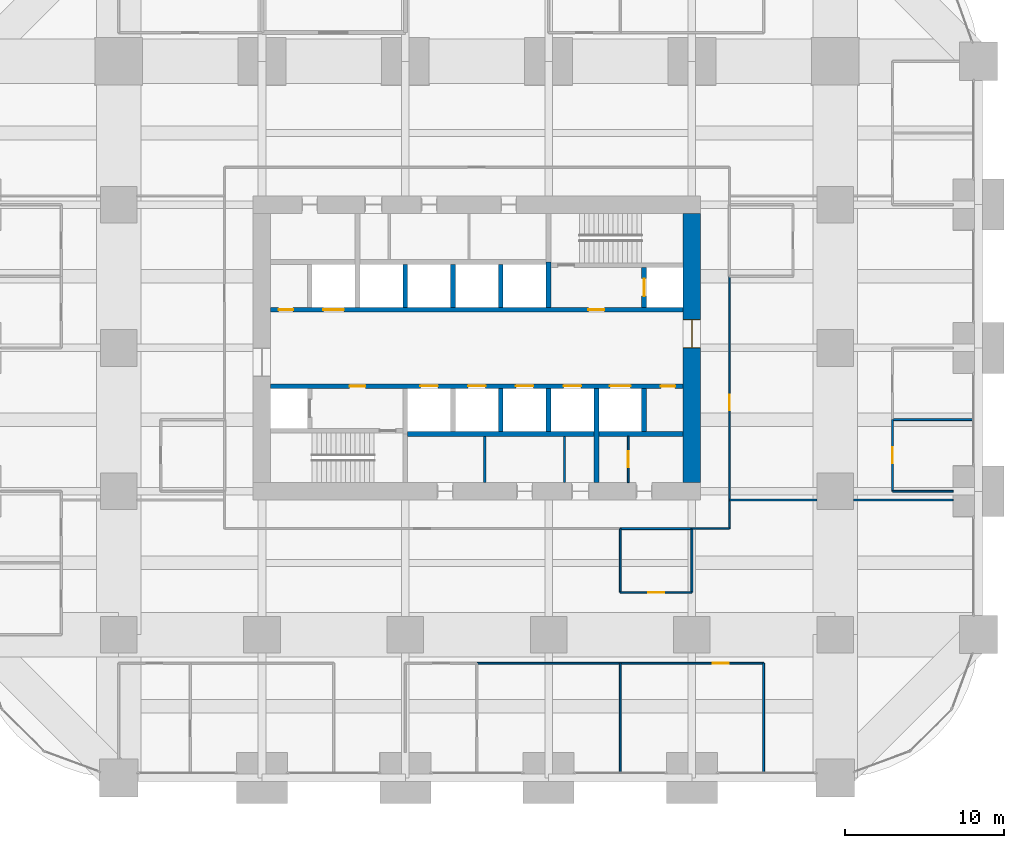
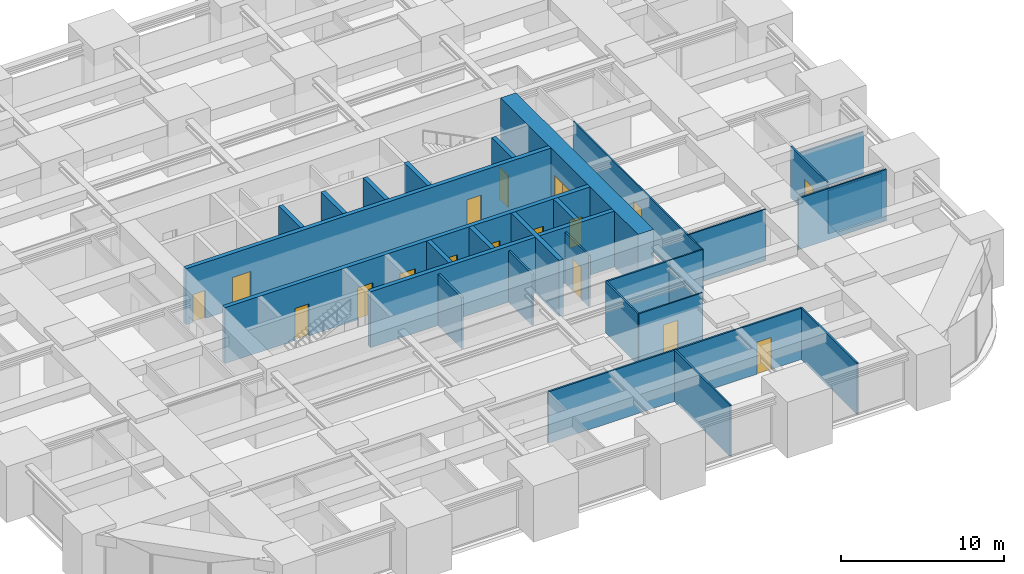
# One storey, part 39 of 42: 31 walls, 17 doors, 17 openings.
"""IFC4 building model written with IfcOpenShell, lengths in metres."""

from ifc_helpers import new_model, si_unit, direction, frame, frame_2d, origin, place, context, subcontext, project, spatial, rectangle, extrude, material, layer, layer_set, type_object, element, fill, save


model = new_model("IFC4")

# Units and contexts
model_context = context("Model", 3, precision=1e-05, world=origin(), true_north=direction((0.0, 1.0)))
body_context = subcontext(model_context, "Body", "Model", "MODEL_VIEW")
ifc_project = project(units=[si_unit("LENGTHUNIT", "METRE"), si_unit("AREAUNIT", "SQUARE_METRE"), si_unit("VOLUMEUNIT", "CUBIC_METRE"), si_unit("PLANEANGLEUNIT", "RADIAN"), si_unit("MASSUNIT", "GRAM", prefix="KILO")], contexts=[model_context])

# Site, building, storey
site_placement = place(None, origin())
site = spatial("IfcSite", under=ifc_project, at=site_placement, CompositionType="ELEMENT")
building_placement = place(site_placement, origin())
building = spatial("IfcBuilding", under=site, at=building_placement, Name="Zorevar Civic Tower", CompositionType="ELEMENT")
storey_placement = place(building_placement, frame((0.0, 0.0, 75.800048828125)))
storey = spatial("IfcBuildingStorey", under=building, at=storey_placement, Name="L18", CompositionType="ELEMENT", Elevation=75.800048828125)

# Wall, opening, door
ifc_material_1 = material(Name="Concrete C50/60", Category="concrete")
ifc_layer_1 = layer(ifc_material_1, 1.10009765625)
ifc_layer_set_1 = layer_set([ifc_layer_1], Name="Core wall 1100")
wall_type_1 = type_object("IfcWallType", Name="Core wall 1100", PredefinedType="SHEAR", material=ifc_layer_set_1)
wall_1_placement = place(storey_placement, frame((45.0, 18.550048828125, 0.0), z_axis=(0.0, 0.0, 1.0), x_axis=(0.0, 1.0, 0.0)))
wall_1 = element("IfcWall", 1, at=wall_1_placement, inside=storey, type_object=wall_type_1, Name="Core wall E L18", PredefinedType="SHEAR", context=body_context, shape_type="SweptSolid", body=[
    extrude(rectangle(XDim=16.89990234375, YDim=1.10009765625, at=frame_2d((8.449951171875, 0.0))), origin(), (0.0, 0.0, 1.0), 4.199951171875),
])
opening_1_placement = place(wall_1_placement, frame((8.449951171875, 0.0, 0.0)))
opening_1 = element("IfcOpeningElement", 2, at=opening_1_placement, cuts=wall_1, Name="Opening L18.02", PredefinedType="OPENING", context=body_context, shape_type="SweptSolid", body=[
    extrude(rectangle(XDim=1.800048828125, YDim=2.39990234375, at=frame_2d((0.89990234375, 1.199951171875))), frame((0.0, 0.56005859375, 0.0), z_axis=(0.0, -1.0, 0.0), x_axis=(1.0, 0.0, 0.0)), (0.0, 0.0, 1.0), 1.1201171875),
])
ifc_material_2 = material(Name="Steel door set", Category="steel")
door_type_1 = type_object("IfcDoorType", Name="Fire door FD2 1800x2400", OperationType="DOUBLE_DOOR_DOUBLE_SWING", PredefinedType="DOOR", material=ifc_material_2)
door_1_placement = place(opening_1_placement, origin())
door_1 = element("IfcDoor", 3, at=door_1_placement, inside=storey, type_object=door_type_1, Name="Door L18 01", OperationType="DOUBLE_DOOR_DOUBLE_SWING", OverallHeight=2.39990234375, OverallWidth=1.800048828125, PredefinedType="DOOR", context=body_context, shape_type="SweptSolid", body=[
    extrude(rectangle(XDim=1.800048828125, YDim=2.39990234375, at=frame_2d((0.89990234375, 1.199951171875))), frame((0.0, 0.030029296875, 0.0), z_axis=(0.0, -1.0, 0.0), x_axis=(1.0, 0.0, 0.0)), (0.0, 0.0, 1.0), 0.06005859375),
    extrude(rectangle(XDim=0.04, YDim=2.39990234375, at=frame_2d((0.02001953125, 1.199951171875))), frame((0.0, 0.5498046875, 0.0), z_axis=(0.0, -1.0, 0.0), x_axis=(1.0, 0.0, 0.0)), (0.0, 0.0, 1.0), 1.099609375),
    extrude(rectangle(XDim=0.04, YDim=2.39990234375, at=frame_2d((1.780029296875, 1.199951171875))), frame((0.0, 0.5498046875, 0.0), z_axis=(0.0, -1.0, 0.0), x_axis=(1.0, 0.0, 0.0)), (0.0, 0.0, 1.0), 1.099609375),
    extrude(rectangle(XDim=1.800048828125, YDim=0.04, at=frame_2d((0.89990234375, 2.3798828125))), frame((0.0, 0.5498046875, 0.0), z_axis=(0.0, -1.0, 0.0), x_axis=(1.0, 0.0, 0.0)), (0.0, 0.0, 1.0), 1.099609375),
])
fill(opening_1, door_1)

ifc_material_3 = material(Name="Laminated glass in black aluminium frame", Category="aluminium")
ifc_layer_2 = layer(ifc_material_3, 0.10009765625)
ifc_layer_set_2 = layer_set([ifc_layer_2], Name="Glazed partition 100")
wall_type_2 = type_object("IfcWallType", Name="Glazed partition 100", PredefinedType="PARTITIONING", material=ifc_layer_set_2)
wall_2_placement = place(storey_placement, frame((40.5, 11.64990234375, 0.0), z_axis=(0.0, 0.0, 1.0), x_axis=(1.0, 0.0, 0.0)))
wall_2 = element("IfcWall", 4, at=wall_2_placement, inside=storey, type_object=wall_type_2, Name="Glazed partition 100 L18", PredefinedType="PARTITIONING", context=body_context, shape_type="SweptSolid", body=[
    extrude(rectangle(XDim=4.5, YDim=0.10009765625, at=frame_2d((2.25, 0.0))), origin(), (0.0, 0.0, 1.0), 3.849853515625),
])
opening_2_placement = place(wall_2_placement, frame((1.75, 0.0, 0.0)))
opening_2 = element("IfcOpeningElement", 5, at=opening_2_placement, cuts=wall_2, Name="Opening L18.20", PredefinedType="OPENING", context=body_context, shape_type="SweptSolid", body=[
    extrude(rectangle(XDim=1.0, YDim=2.39990234375, at=frame_2d((0.5, 1.199951171875))), frame((0.0, 0.06005859375, 0.0), z_axis=(0.0, -1.0, 0.0), x_axis=(1.0, 0.0, 0.0)), (0.0, 0.0, 1.0), 0.1201171875),
])
ifc_material_4 = material(Name="Timber door set", Category="wood")
door_type_2 = type_object("IfcDoorType", Name="Glazed door GD1 1000x2400", OperationType="SINGLE_SWING_LEFT", PredefinedType="DOOR", material=ifc_material_4)
door_2_placement = place(opening_2_placement, origin())
door_2 = element("IfcDoor", 6, at=door_2_placement, inside=storey, type_object=door_type_2, Name="Door L18 D1", OperationType="SINGLE_SWING_RIGHT", OverallHeight=2.39990234375, OverallWidth=1.0, PredefinedType="DOOR", context=body_context, shape_type="SweptSolid", body=[
    extrude(rectangle(XDim=1.0, YDim=2.39990234375, at=frame_2d((0.5, 1.199951171875))), frame((0.0, 0.02001953125, 0.0), z_axis=(0.0, -1.0, 0.0), x_axis=(1.0, 0.0, 0.0)), (0.0, 0.0, 1.0), 0.0400390625),
])
fill(opening_2, door_2)

# Walls
wall_3_placement = place(storey_placement, frame((45.0, 15.64990234375, 0.0), z_axis=(0.0, 0.0, 1.0), x_axis=(1.0, 0.0, 0.0)))
element("IfcWall", 7, at=wall_3_placement, inside=storey, type_object=wall_type_2, Name="Glazed partition 100 L18", PredefinedType="PARTITIONING", context=body_context, shape_type="SweptSolid", body=[
    extrude(rectangle(XDim=2.35009765625, YDim=0.10009765625, at=frame_2d((1.175048828125, 0.0))), origin(), (0.0, 0.0, 1.0), 3.849853515625),
])
wall_4_placement = place(storey_placement, frame((47.35009765625, 17.449951171875, 0.0), z_axis=(0.0, 0.0, 1.0), x_axis=(1.0, 0.0, 0.0)))
element("IfcWall", 8, at=wall_4_placement, inside=storey, type_object=wall_type_2, Name="Glazed partition 100 L18", PredefinedType="PARTITIONING", context=body_context, shape_type="SweptSolid", body=[
    extrude(rectangle(XDim=5.5, YDim=0.10009765625, at=frame_2d((2.75, 0.0))), origin(), (0.0, 0.0, 1.0), 3.849853515625),
])
wall_5_placement = place(storey_placement, frame((55.14990234375, 17.449951171875, 0.0), z_axis=(0.0, 0.0, 1.0), x_axis=(1.0, 0.0, 0.0)))
element("IfcWall", 9, at=wall_5_placement, inside=storey, type_object=wall_type_2, Name="Glazed partition 100 L18", PredefinedType="PARTITIONING", context=body_context, shape_type="SweptSolid", body=[
    extrude(rectangle(XDim=6.25, YDim=0.10009765625, at=frame_2d((3.125, 0.0))), origin(), (0.0, 0.0, 1.0), 3.849853515625),
])

# Wall, opening, door
wall_6_placement = place(storey_placement, frame((47.35009765625, 15.64990234375, 0.0), z_axis=(0.0, 0.0, 1.0), x_axis=(0.0, 1.0, 0.0)))
wall_6 = element("IfcWall", 10, at=wall_6_placement, inside=storey, type_object=wall_type_2, Name="Glazed partition 100 L18", PredefinedType="PARTITIONING", context=body_context, shape_type="SweptSolid", body=[
    extrude(rectangle(XDim=15.85009765625, YDim=0.10009765625, at=frame_2d((7.925048828125, 0.0))), origin(), (0.0, 0.0, 1.0), 3.849853515625),
])
opening_3_placement = place(wall_6_placement, frame((7.425048828125, 0.0, 0.0)))
opening_3 = element("IfcOpeningElement", 11, at=opening_3_placement, cuts=wall_6, Name="Opening L18.35", PredefinedType="OPENING", context=body_context, shape_type="SweptSolid", body=[
    extrude(rectangle(XDim=1.0, YDim=2.39990234375, at=frame_2d((0.5, 1.199951171875))), frame((0.0, 0.06005859375, 0.0), z_axis=(0.0, -1.0, 0.0), x_axis=(1.0, 0.0, 0.0)), (0.0, 0.0, 1.0), 0.1201171875),
])
door_3_placement = place(opening_3_placement, origin())
door_3 = element("IfcDoor", 12, at=door_3_placement, inside=storey, type_object=door_type_2, Name="Door L18 D1", OperationType="SINGLE_SWING_LEFT", OverallHeight=2.39990234375, OverallWidth=1.0, PredefinedType="DOOR", context=body_context, shape_type="SweptSolid", body=[
    extrude(rectangle(XDim=1.0, YDim=2.39990234375, at=frame_2d((0.5, 1.199951171875))), frame((0.0, 0.02001953125, 0.0), z_axis=(0.0, -1.0, 0.0), x_axis=(1.0, 0.0, 0.0)), (0.0, 0.0, 1.0), 0.0400390625),
])
fill(opening_3, door_3)

ifc_material_5 = material(Name="Concrete C40/50", Category="concrete")
ifc_layer_3 = layer(ifc_material_5, 0.300048828125)
ifc_layer_set_3 = layer_set([ifc_layer_3], Name="Inner core wall 300")
wall_type_3 = type_object("IfcWallType", Name="Inner core wall 300", PredefinedType="SHEAR", material=ifc_layer_set_3)
wall_7_placement = place(storey_placement, frame((42.0, 29.550048828125, 0.0), z_axis=(0.0, 0.0, 1.0), x_axis=(0.0, 1.0, 0.0)))
wall_7 = element("IfcWall", 13, at=wall_7_placement, inside=storey, type_object=wall_type_3, Name="Inner core wall N02 L18", PredefinedType="SHEAR", context=body_context, shape_type="SweptSolid", body=[
    extrude(rectangle(XDim=2.5, YDim=0.300048828125, at=frame_2d((1.25, 0.0))), origin(), (0.0, 0.0, 1.0), 4.199951171875),
])
opening_4_placement = place(wall_7_placement, frame((0.699951171875, 0.0, 0.0)))
opening_4 = element("IfcOpeningElement", 14, at=opening_4_placement, cuts=wall_7, Name="Opening L18.FL2", PredefinedType="OPENING", context=body_context, shape_type="SweptSolid", body=[
    extrude(rectangle(XDim=1.10009765625, YDim=2.39990234375, at=frame_2d((0.550048828125, 1.199951171875))), frame((0.0, 0.159912109375, 0.0), z_axis=(0.0, -1.0, 0.0), x_axis=(1.0, 0.0, 0.0)), (0.0, 0.0, 1.0), 0.320068359375),
])
ifc_material_6 = material(Name="Steel door set", Category="steel")
door_type_3 = type_object("IfcDoorType", Name="Firefighting lift landing door LD3 1100x2400", OperationType="DOUBLE_DOOR_SLIDING", PredefinedType="DOOR", material=ifc_material_6)
door_4_placement = place(opening_4_placement, origin())
door_4 = element("IfcDoor", 15, at=door_4_placement, inside=storey, type_object=door_type_3, Name="Landing door FL2 L18", OperationType="DOUBLE_DOOR_SLIDING", OverallHeight=2.39990234375, OverallWidth=1.10009765625, PredefinedType="DOOR", context=body_context, shape_type="SweptSolid", body=[
    extrude(rectangle(XDim=1.10009765625, YDim=2.39990234375, at=frame_2d((0.550048828125, 1.199951171875))), frame((0.0, 0.030029296875, 0.0), z_axis=(0.0, -1.0, 0.0), x_axis=(1.0, 0.0, 0.0)), (0.0, 0.0, 1.0), 0.06005859375),
])
fill(opening_4, door_4)

# Wall, openings, doors
wall_8_placement = place(storey_placement, frame((18.550048828125, 24.60009765625, 0.0), z_axis=(0.0, 0.0, 1.0), x_axis=(1.0, 0.0, 0.0)))
wall_8 = element("IfcWall", 16, at=wall_8_placement, inside=storey, type_object=wall_type_3, Name="Inner core wall S03 L18", PredefinedType="SHEAR", context=body_context, shape_type="SweptSolid", body=[
    extrude(rectangle(XDim=25.89990234375, YDim=0.300048828125, at=frame_2d((12.949951171875, 0.0))), origin(), (0.0, 0.0, 1.0), 4.199951171875),
])
opening_5_placement = place(wall_8_placement, frame((4.949951171875, 0.0, 0.0)))
opening_5 = element("IfcOpeningElement", 17, at=opening_5_placement, cuts=wall_8, Name="Opening L18.13", PredefinedType="OPENING", context=body_context, shape_type="SweptSolid", body=[
    extrude(rectangle(XDim=1.0, YDim=2.39990234375, at=frame_2d((0.5, 1.199951171875))), frame((0.0, 0.159912109375, 0.0), z_axis=(0.0, -1.0, 0.0), x_axis=(1.0, 0.0, 0.0)), (0.0, 0.0, 1.0), 0.320068359375),
])
opening_6_placement = place(wall_8_placement, frame((24.5, 0.0, 0.0)))
opening_6 = element("IfcOpeningElement", 18, at=opening_6_placement, cuts=wall_8, Name="Opening L18.15", PredefinedType="OPENING", context=body_context, shape_type="SweptSolid", body=[
    extrude(rectangle(XDim=0.89990234375, YDim=2.10009765625, at=frame_2d((0.449951171875, 1.050048828125))), frame((0.0, 0.159912109375, 0.0), z_axis=(0.0, -1.0, 0.0), x_axis=(1.0, 0.0, 0.0)), (0.0, 0.0, 1.0), 0.320068359375),
])
opening_7_placement = place(wall_8_placement, frame((9.39990234375, 0.0, 0.0)))
opening_7 = element("IfcOpeningElement", 19, at=opening_7_placement, cuts=wall_8, Name="Opening L18.LP1", PredefinedType="OPENING", context=body_context, shape_type="SweptSolid", body=[
    extrude(rectangle(XDim=1.10009765625, YDim=2.39990234375, at=frame_2d((0.550048828125, 1.199951171875))), frame((0.0, 0.159912109375, 0.0), z_axis=(0.0, -1.0, 0.0), x_axis=(1.0, 0.0, 0.0)), (0.0, 0.0, 1.0), 0.320068359375),
])
opening_8_placement = place(wall_8_placement, frame((12.39990234375, 0.0, 0.0)))
opening_8 = element("IfcOpeningElement", 20, at=opening_8_placement, cuts=wall_8, Name="Opening L18.LP2", PredefinedType="OPENING", context=body_context, shape_type="SweptSolid", body=[
    extrude(rectangle(XDim=1.10009765625, YDim=2.39990234375, at=frame_2d((0.550048828125, 1.199951171875))), frame((0.0, 0.159912109375, 0.0), z_axis=(0.0, -1.0, 0.0), x_axis=(1.0, 0.0, 0.0)), (0.0, 0.0, 1.0), 0.320068359375),
])
opening_9_placement = place(wall_8_placement, frame((15.39990234375, 0.0, 0.0)))
opening_9 = element("IfcOpeningElement", 21, at=opening_9_placement, cuts=wall_8, Name="Opening L18.LP3", PredefinedType="OPENING", context=body_context, shape_type="SweptSolid", body=[
    extrude(rectangle(XDim=1.10009765625, YDim=2.39990234375, at=frame_2d((0.550048828125, 1.199951171875))), frame((0.0, 0.159912109375, 0.0), z_axis=(0.0, -1.0, 0.0), x_axis=(1.0, 0.0, 0.0)), (0.0, 0.0, 1.0), 0.320068359375),
])
opening_10_placement = place(wall_8_placement, frame((18.39990234375, 0.0, 0.0)))
opening_10 = element("IfcOpeningElement", 22, at=opening_10_placement, cuts=wall_8, Name="Opening L18.LP4", PredefinedType="OPENING", context=body_context, shape_type="SweptSolid", body=[
    extrude(rectangle(XDim=1.10009765625, YDim=2.39990234375, at=frame_2d((0.550048828125, 1.199951171875))), frame((0.0, 0.159912109375, 0.0), z_axis=(0.0, -1.0, 0.0), x_axis=(1.0, 0.0, 0.0)), (0.0, 0.0, 1.0), 0.320068359375),
])
opening_11_placement = place(wall_8_placement, frame((21.300048828125, 0.0, 0.0)))
opening_11 = element("IfcOpeningElement", 23, at=opening_11_placement, cuts=wall_8, Name="Opening L18.SL1", PredefinedType="OPENING", context=body_context, shape_type="SweptSolid", body=[
    extrude(rectangle(XDim=1.300048828125, YDim=2.39990234375, at=frame_2d((0.64990234375, 1.199951171875))), frame((0.0, 0.159912109375, 0.0), z_axis=(0.0, -1.0, 0.0), x_axis=(1.0, 0.0, 0.0)), (0.0, 0.0, 1.0), 0.320068359375),
])
ifc_material_7 = material(Name="Steel door set", Category="steel")
door_type_4 = type_object("IfcDoorType", Name="Fire door FD1 1000x2400", OperationType="SINGLE_SWING_LEFT", PredefinedType="DOOR", material=ifc_material_7)
door_5_placement = place(opening_5_placement, origin())
door_5 = element("IfcDoor", 24, at=door_5_placement, inside=storey, type_object=door_type_4, Name="Door L18 12", OperationType="SINGLE_SWING_RIGHT", OverallHeight=2.39990234375, OverallWidth=1.0, PredefinedType="DOOR", context=body_context, shape_type="SweptSolid", body=[
    extrude(rectangle(XDim=1.0, YDim=2.39990234375, at=frame_2d((0.5, 1.199951171875))), frame((0.0, 0.030029296875, 0.0), z_axis=(0.0, -1.0, 0.0), x_axis=(1.0, 0.0, 0.0)), (0.0, 0.0, 1.0), 0.06005859375),
])
fill(opening_5, door_5)
ifc_material_8 = material(Name="Steel door set", Category="steel")
door_type_5 = type_object("IfcDoorType", Name="Landing door LD1 1100x2400", OperationType="DOUBLE_DOOR_SLIDING", PredefinedType="DOOR", material=ifc_material_8)
door_6_placement = place(opening_7_placement, origin())
door_6 = element("IfcDoor", 25, at=door_6_placement, inside=storey, type_object=door_type_5, Name="Landing door LP1 L18", OperationType="DOUBLE_DOOR_SLIDING", OverallHeight=2.39990234375, OverallWidth=1.10009765625, PredefinedType="DOOR", context=body_context, shape_type="SweptSolid", body=[
    extrude(rectangle(XDim=1.10009765625, YDim=2.39990234375, at=frame_2d((0.550048828125, 1.199951171875))), frame((0.0, 0.02001953125, 0.0), z_axis=(0.0, -1.0, 0.0), x_axis=(1.0, 0.0, 0.0)), (0.0, 0.0, 1.0), 0.0400390625),
])
fill(opening_7, door_6)
door_7_placement = place(opening_8_placement, origin())
door_7 = element("IfcDoor", 26, at=door_7_placement, inside=storey, type_object=door_type_5, Name="Landing door LP2 L18", OperationType="DOUBLE_DOOR_SLIDING", OverallHeight=2.39990234375, OverallWidth=1.10009765625, PredefinedType="DOOR", context=body_context, shape_type="SweptSolid", body=[
    extrude(rectangle(XDim=1.10009765625, YDim=2.39990234375, at=frame_2d((0.550048828125, 1.199951171875))), frame((0.0, 0.02001953125, 0.0), z_axis=(0.0, -1.0, 0.0), x_axis=(1.0, 0.0, 0.0)), (0.0, 0.0, 1.0), 0.0400390625),
])
fill(opening_8, door_7)
door_8_placement = place(opening_9_placement, origin())
door_8 = element("IfcDoor", 27, at=door_8_placement, inside=storey, type_object=door_type_5, Name="Landing door LP3 L18", OperationType="DOUBLE_DOOR_SLIDING", OverallHeight=2.39990234375, OverallWidth=1.10009765625, PredefinedType="DOOR", context=body_context, shape_type="SweptSolid", body=[
    extrude(rectangle(XDim=1.10009765625, YDim=2.39990234375, at=frame_2d((0.550048828125, 1.199951171875))), frame((0.0, 0.02001953125, 0.0), z_axis=(0.0, -1.0, 0.0), x_axis=(1.0, 0.0, 0.0)), (0.0, 0.0, 1.0), 0.0400390625),
])
fill(opening_9, door_8)
door_9_placement = place(opening_10_placement, origin())
door_9 = element("IfcDoor", 28, at=door_9_placement, inside=storey, type_object=door_type_5, Name="Landing door LP4 L18", OperationType="DOUBLE_DOOR_SLIDING", OverallHeight=2.39990234375, OverallWidth=1.10009765625, PredefinedType="DOOR", context=body_context, shape_type="SweptSolid", body=[
    extrude(rectangle(XDim=1.10009765625, YDim=2.39990234375, at=frame_2d((0.550048828125, 1.199951171875))), frame((0.0, 0.02001953125, 0.0), z_axis=(0.0, -1.0, 0.0), x_axis=(1.0, 0.0, 0.0)), (0.0, 0.0, 1.0), 0.0400390625),
])
fill(opening_10, door_9)
ifc_material_9 = material(Name="Steel door set", Category="steel")
door_type_6 = type_object("IfcDoorType", Name="Landing door LD2 1300x2400", OperationType="DOUBLE_DOOR_SLIDING", PredefinedType="DOOR", material=ifc_material_9)
door_10_placement = place(opening_11_placement, origin())
door_10 = element("IfcDoor", 29, at=door_10_placement, inside=storey, type_object=door_type_6, Name="Landing door SL1 L18", OperationType="DOUBLE_DOOR_SLIDING", OverallHeight=2.39990234375, OverallWidth=1.300048828125, PredefinedType="DOOR", context=body_context, shape_type="SweptSolid", body=[
    extrude(rectangle(XDim=1.300048828125, YDim=2.39990234375, at=frame_2d((0.64990234375, 1.199951171875))), frame((0.0, 0.02001953125, 0.0), z_axis=(0.0, -1.0, 0.0), x_axis=(1.0, 0.0, 0.0)), (0.0, 0.0, 1.0), 0.0400390625),
])
fill(opening_11, door_10)
ifc_material_10 = material(Name="Steel door set", Category="steel")
door_type_7 = type_object("IfcDoorType", Name="Riser door RD1 900x2100", OperationType="SINGLE_SWING_LEFT", PredefinedType="DOOR", material=ifc_material_10)
door_11_placement = place(opening_6_placement, origin())
door_11 = element("IfcDoor", 30, at=door_11_placement, inside=storey, type_object=door_type_7, Name="Door L18 14", OperationType="SINGLE_SWING_RIGHT", OverallHeight=2.10009765625, OverallWidth=0.89990234375, PredefinedType="DOOR", context=body_context, shape_type="SweptSolid", body=[
    extrude(rectangle(XDim=0.89990234375, YDim=2.10009765625, at=frame_2d((0.449951171875, 1.050048828125))), frame((0.0, 0.030029296875, 0.0), z_axis=(0.0, -1.0, 0.0), x_axis=(1.0, 0.0, 0.0)), (0.0, 0.0, 1.0), 0.06005859375),
])
fill(opening_6, door_11)

wall_9_placement = place(storey_placement, frame((18.550048828125, 29.39990234375, 0.0), z_axis=(0.0, 0.0, 1.0), x_axis=(1.0, 0.0, 0.0)))
wall_9 = element("IfcWall", 31, at=wall_9_placement, inside=storey, type_object=wall_type_3, Name="Inner core wall N03 L18", PredefinedType="SHEAR", context=body_context, shape_type="SweptSolid", body=[
    extrude(rectangle(XDim=25.89990234375, YDim=0.300048828125, at=frame_2d((12.949951171875, 0.0))), origin(), (0.0, 0.0, 1.0), 4.199951171875),
])
opening_12_placement = place(wall_9_placement, frame((19.949951171875, 0.0, 0.0)))
opening_12 = element("IfcOpeningElement", 32, at=opening_12_placement, cuts=wall_9, Name="Opening L18.14", PredefinedType="OPENING", context=body_context, shape_type="SweptSolid", body=[
    extrude(rectangle(XDim=1.0, YDim=2.39990234375, at=frame_2d((0.5, 1.199951171875))), frame((0.0, 0.159912109375, 0.0), z_axis=(0.0, -1.0, 0.0), x_axis=(1.0, 0.0, 0.0)), (0.0, 0.0, 1.0), 0.320068359375),
])
opening_13_placement = place(wall_9_placement, frame((0.5, 0.0, 0.0)))
opening_13 = element("IfcOpeningElement", 33, at=opening_13_placement, cuts=wall_9, Name="Opening L18.16", PredefinedType="OPENING", context=body_context, shape_type="SweptSolid", body=[
    extrude(rectangle(XDim=0.89990234375, YDim=2.10009765625, at=frame_2d((0.449951171875, 1.050048828125))), frame((0.0, 0.159912109375, 0.0), z_axis=(0.0, -1.0, 0.0), x_axis=(1.0, 0.0, 0.0)), (0.0, 0.0, 1.0), 0.320068359375),
])
opening_14_placement = place(wall_9_placement, frame((3.300048828125, 0.0, 0.0)))
opening_14 = element("IfcOpeningElement", 34, at=opening_14_placement, cuts=wall_9, Name="Opening L18.SL2", PredefinedType="OPENING", context=body_context, shape_type="SweptSolid", body=[
    extrude(rectangle(XDim=1.300048828125, YDim=2.39990234375, at=frame_2d((0.64990234375, 1.199951171875))), frame((0.0, 0.159912109375, 0.0), z_axis=(0.0, -1.0, 0.0), x_axis=(1.0, 0.0, 0.0)), (0.0, 0.0, 1.0), 0.320068359375),
])
door_12_placement = place(opening_12_placement, origin())
door_12 = element("IfcDoor", 35, at=door_12_placement, inside=storey, type_object=door_type_4, Name="Door L18 13", OperationType="SINGLE_SWING_RIGHT", OverallHeight=2.39990234375, OverallWidth=1.0, PredefinedType="DOOR", context=body_context, shape_type="SweptSolid", body=[
    extrude(rectangle(XDim=1.0, YDim=2.39990234375, at=frame_2d((0.5, 1.199951171875))), frame((0.0, 0.030029296875, 0.0), z_axis=(0.0, -1.0, 0.0), x_axis=(1.0, 0.0, 0.0)), (0.0, 0.0, 1.0), 0.06005859375),
])
fill(opening_12, door_12)
door_13_placement = place(opening_14_placement, origin())
door_13 = element("IfcDoor", 36, at=door_13_placement, inside=storey, type_object=door_type_6, Name="Landing door SL2 L18", OperationType="DOUBLE_DOOR_SLIDING", OverallHeight=2.39990234375, OverallWidth=1.300048828125, PredefinedType="DOOR", context=body_context, shape_type="SweptSolid", body=[
    extrude(rectangle(XDim=1.300048828125, YDim=2.39990234375, at=frame_2d((0.64990234375, 1.199951171875))), frame((0.0, 0.02001953125, 0.0), z_axis=(0.0, -1.0, 0.0), x_axis=(1.0, 0.0, 0.0)), (0.0, 0.0, 1.0), 0.0400390625),
])
fill(opening_14, door_13)
door_14_placement = place(opening_13_placement, origin())
door_14 = element("IfcDoor", 37, at=door_14_placement, inside=storey, type_object=door_type_7, Name="Door L18 15", OperationType="SINGLE_SWING_RIGHT", OverallHeight=2.10009765625, OverallWidth=0.89990234375, PredefinedType="DOOR", context=body_context, shape_type="SweptSolid", body=[
    extrude(rectangle(XDim=0.89990234375, YDim=2.10009765625, at=frame_2d((0.449951171875, 1.050048828125))), frame((0.0, 0.030029296875, 0.0), z_axis=(0.0, -1.0, 0.0), x_axis=(1.0, 0.0, 0.0)), (0.0, 0.0, 1.0), 0.06005859375),
])
fill(opening_13, door_14)

# Walls
wall_10_placement = place(storey_placement, frame((27.14990234375, 21.60009765625, 0.0), z_axis=(0.0, 0.0, 1.0), x_axis=(1.0, 0.0, 0.0)))
element("IfcWall", 38, at=wall_10_placement, inside=storey, type_object=wall_type_3, Name="Inner core wall S04 L18", PredefinedType="SHEAR", context=body_context, shape_type="SweptSolid", body=[
    extrude(rectangle(XDim=17.300048828125, YDim=0.300048828125, at=frame_2d((8.64990234375, 0.0))), origin(), (0.0, 0.0, 1.0), 4.199951171875),
])
for number, where, z_axis, x_axis, name in (
    (39, (33.0, 29.550048828125, 0.0), (0.0, 0.0, 1.0), (0.0, 1.0, 0.0), "Inner core wall N05 L18"),
    (40, (33.0, 21.75, 0.0), (0.0, 0.0, 1.0), (0.0, 1.0, 0.0), "Inner core wall S06 L18"),
    (41, (30.0, 29.550048828125, 0.0), (0.0, 0.0, 1.0), (0.0, 1.0, 0.0), "Inner core wall N06 L18"),
    (42, (36.0, 21.75, 0.0), (0.0, 0.0, 1.0), (0.0, 1.0, 0.0), "Inner core wall S07 L18"),
    (43, (27.0, 29.550048828125, 0.0), (0.0, 0.0, 1.0), (0.0, 1.0, 0.0), "Inner core wall N07 L18"),
):
    element("IfcWall", number, at=place(storey_placement, frame(where, z_axis=z_axis, x_axis=x_axis)), inside=storey, type_object=wall_type_3, Name=name, PredefinedType="SHEAR", context=body_context, shape_type="SweptSolid", body=[
        extrude(rectangle(XDim=2.699951171875, YDim=0.300048828125, at=frame_2d((1.35009765625, 0.0))), origin(), (0.0, 0.0, 1.0), 4.199951171875),
    ])
wall_11_placement = place(storey_placement, frame((39.0, 18.550048828125, 0.0), z_axis=(0.0, 0.0, 1.0), x_axis=(0.0, 1.0, 0.0)))
element("IfcWall", 44, at=wall_11_placement, inside=storey, type_object=wall_type_3, Name="Inner core wall S08 L18", PredefinedType="SHEAR", context=body_context, shape_type="SweptSolid", body=[
    extrude(rectangle(XDim=5.89990234375, YDim=0.300048828125, at=frame_2d((2.949951171875, 0.0))), origin(), (0.0, 0.0, 1.0), 4.199951171875),
])
wall_12_placement = place(storey_placement, frame((42.0, 21.75, 0.0), z_axis=(0.0, 0.0, 1.0), x_axis=(0.0, 1.0, 0.0)))
element("IfcWall", 45, at=wall_12_placement, inside=storey, type_object=wall_type_3, Name="Inner core wall S09 L18", PredefinedType="SHEAR", context=body_context, shape_type="SweptSolid", body=[
    extrude(rectangle(XDim=2.699951171875, YDim=0.300048828125, at=frame_2d((1.35009765625, 0.0))), origin(), (0.0, 0.0, 1.0), 4.199951171875),
])
wall_13_placement = place(storey_placement, frame((36.0, 29.550048828125, 0.0), z_axis=(0.0, 0.0, 1.0), x_axis=(0.0, 1.0, 0.0)))
element("IfcWall", 46, at=wall_13_placement, inside=storey, type_object=wall_type_3, Name="Inner core wall N10 L18", PredefinedType="SHEAR", context=body_context, shape_type="SweptSolid", body=[
    extrude(rectangle(XDim=2.849853515625, YDim=0.300048828125, at=frame_2d((1.4248046875, 0.0))), origin(), (0.0, 0.0, 1.0), 4.199951171875),
])
ifc_material_11 = material(Name="Gypsum board on steel studs", Category="steel")
ifc_layer_4 = layer(ifc_material_11, 0.1201171875)
ifc_layer_set_4 = layer_set([ifc_layer_4], Name="Partition 120")
wall_type_4 = type_object("IfcWallType", Name="Partition 120", PredefinedType="PARTITIONING", material=ifc_layer_set_4)
wall_14_placement = place(storey_placement, frame((31.5, 7.199951171875, 0.0), z_axis=(0.0, 0.0, 1.0), x_axis=(1.0, 0.0, 0.0)))
element("IfcWall", 47, at=wall_14_placement, inside=storey, type_object=wall_type_4, Name="Partition 120 L18", PredefinedType="PARTITIONING", context=body_context, shape_type="SweptSolid", body=[
    extrude(rectangle(XDim=9.0, YDim=0.1201171875, at=frame_2d((4.5, 0.0))), origin(), (0.0, 0.0, 1.0), 3.849853515625),
])

# Wall, opening, door
wall_15_placement = place(storey_placement, frame((40.5, 7.199951171875, 0.0), z_axis=(0.0, 0.0, 1.0), x_axis=(1.0, 0.0, 0.0)))
wall_15 = element("IfcWall", 48, at=wall_15_placement, inside=storey, type_object=wall_type_4, Name="Partition 120 L18", PredefinedType="PARTITIONING", context=body_context, shape_type="SweptSolid", body=[
    extrude(rectangle(XDim=9.0, YDim=0.1201171875, at=frame_2d((4.5, 0.0))), origin(), (0.0, 0.0, 1.0), 3.849853515625),
])
opening_15_placement = place(wall_15_placement, frame((5.800048828125, 0.0, 0.0)))
opening_15 = element("IfcOpeningElement", 49, at=opening_15_placement, cuts=wall_15, Name="Opening L18.19", PredefinedType="OPENING", context=body_context, shape_type="SweptSolid", body=[
    extrude(rectangle(XDim=1.0, YDim=2.39990234375, at=frame_2d((0.5, 1.199951171875))), frame((0.0, 0.070068359375, 0.0), z_axis=(0.0, -1.0, 0.0), x_axis=(1.0, 0.0, 0.0)), (0.0, 0.0, 1.0), 0.14013671875),
])
ifc_material_12 = material(Name="Timber door set", Category="wood")
door_type_8 = type_object("IfcDoorType", Name="Door D1 1000x2400", OperationType="SINGLE_SWING_LEFT", PredefinedType="DOOR", material=ifc_material_12)
door_15_placement = place(opening_15_placement, origin())
door_15 = element("IfcDoor", 50, at=door_15_placement, inside=storey, type_object=door_type_8, Name="Door L18 D1", OperationType="SINGLE_SWING_LEFT", OverallHeight=2.39990234375, OverallWidth=1.0, PredefinedType="DOOR", context=body_context, shape_type="SweptSolid", body=[
    extrude(rectangle(XDim=1.0, YDim=2.39990234375, at=frame_2d((0.5, 1.199951171875))), frame((0.0, 0.02490234375, 0.0), z_axis=(0.0, -1.0, 0.0), x_axis=(1.0, 0.0, 0.0)), (0.0, 0.0, 1.0), 0.050048828125),
])
fill(opening_15, door_15)

# Walls
wall_16_placement = place(storey_placement, frame((40.5, 15.64990234375, 0.0), z_axis=(0.0, 0.0, 1.0), x_axis=(1.0, 0.0, 0.0)))
element("IfcWall", 51, at=wall_16_placement, inside=storey, type_object=wall_type_4, Name="Partition 120 L18", PredefinedType="PARTITIONING", context=body_context, shape_type="SweptSolid", body=[
    extrude(rectangle(XDim=4.5, YDim=0.1201171875, at=frame_2d((2.25, 0.0))), origin(), (0.0, 0.0, 1.0), 3.849853515625),
])
wall_17_placement = place(storey_placement, frame((57.60009765625, 18.0, 0.0), z_axis=(0.0, 0.0, 1.0), x_axis=(1.0, 0.0, 0.0)))
element("IfcWall", 52, at=wall_17_placement, inside=storey, type_object=wall_type_4, Name="Partition 120 L18", PredefinedType="PARTITIONING", context=body_context, shape_type="SweptSolid", body=[
    extrude(rectangle(XDim=3.7998046875, YDim=0.1201171875, at=frame_2d((1.89990234375, 0.0))), origin(), (0.0, 0.0, 1.0), 3.25),
])
wall_18_placement = place(storey_placement, frame((57.60009765625, 22.5, 0.0), z_axis=(0.0, 0.0, 1.0), x_axis=(1.0, 0.0, 0.0)))
element("IfcWall", 53, at=wall_18_placement, inside=storey, type_object=wall_type_4, Name="Partition 120 L18", PredefinedType="PARTITIONING", context=body_context, shape_type="SweptSolid", body=[
    extrude(rectangle(XDim=5.08984375, YDim=0.1201171875, at=frame_2d((2.544921875, 0.0))), origin(), (0.0, 0.0, 1.0), 3.14990234375),
])
wall_19_placement = place(storey_placement, frame((40.5, 0.31005859375, 0.0), z_axis=(0.0, 0.0, 1.0), x_axis=(0.0, 1.0, 0.0)))
element("IfcWall", 54, at=wall_19_placement, inside=storey, type_object=wall_type_4, Name="Partition 120 L18", PredefinedType="PARTITIONING", context=body_context, shape_type="SweptSolid", body=[
    extrude(rectangle(XDim=6.889892578125, YDim=0.1201171875, at=frame_2d((3.44482421875, 0.0))), origin(), (0.0, 0.0, 1.0), 3.849853515625),
])
wall_20_placement = place(storey_placement, frame((40.5, 11.64990234375, 0.0), z_axis=(0.0, 0.0, 1.0), x_axis=(0.0, 1.0, 0.0)))
element("IfcWall", 55, at=wall_20_placement, inside=storey, type_object=wall_type_4, Name="Partition 120 L18", PredefinedType="PARTITIONING", context=body_context, shape_type="SweptSolid", body=[
    extrude(rectangle(XDim=4.0, YDim=0.1201171875, at=frame_2d((2.0, 0.0))), origin(), (0.0, 0.0, 1.0), 3.849853515625),
])
wall_21_placement = place(storey_placement, frame((45.0, 11.64990234375, 0.0), z_axis=(0.0, 0.0, 1.0), x_axis=(0.0, 1.0, 0.0)))
element("IfcWall", 56, at=wall_21_placement, inside=storey, type_object=wall_type_4, Name="Partition 120 L18", PredefinedType="PARTITIONING", context=body_context, shape_type="SweptSolid", body=[
    extrude(rectangle(XDim=4.0, YDim=0.1201171875, at=frame_2d((2.0, 0.0))), origin(), (0.0, 0.0, 1.0), 3.25),
])
wall_22_placement = place(storey_placement, frame((49.5, 0.31005859375, 0.0), z_axis=(0.0, 0.0, 1.0), x_axis=(0.0, 1.0, 0.0)))
element("IfcWall", 57, at=wall_22_placement, inside=storey, type_object=wall_type_4, Name="Partition 120 L18", PredefinedType="PARTITIONING", context=body_context, shape_type="SweptSolid", body=[
    extrude(rectangle(XDim=6.889892578125, YDim=0.1201171875, at=frame_2d((3.44482421875, 0.0))), origin(), (0.0, 0.0, 1.0), 3.849853515625),
])

# Wall, opening, door
wall_23_placement = place(storey_placement, frame((57.60009765625, 18.0, 0.0), z_axis=(0.0, 0.0, 1.0), x_axis=(0.0, 1.0, 0.0)))
wall_23 = element("IfcWall", 58, at=wall_23_placement, inside=storey, type_object=wall_type_4, Name="Partition 120 L18", PredefinedType="PARTITIONING", context=body_context, shape_type="SweptSolid", body=[
    extrude(rectangle(XDim=4.5, YDim=0.1201171875, at=frame_2d((2.25, 0.0))), origin(), (0.0, 0.0, 1.0), 3.849853515625),
])
opening_16_placement = place(wall_23_placement, frame((1.75, 0.0, 0.0)))
opening_16 = element("IfcOpeningElement", 59, at=opening_16_placement, cuts=wall_23, Name="Opening L18.37", PredefinedType="OPENING", context=body_context, shape_type="SweptSolid", body=[
    extrude(rectangle(XDim=1.0, YDim=2.39990234375, at=frame_2d((0.5, 1.199951171875))), frame((0.0, 0.070068359375, 0.0), z_axis=(0.0, -1.0, 0.0), x_axis=(1.0, 0.0, 0.0)), (0.0, 0.0, 1.0), 0.14013671875),
])
door_16_placement = place(opening_16_placement, origin())
door_16 = element("IfcDoor", 60, at=door_16_placement, inside=storey, type_object=door_type_8, Name="Door L18 D1", OperationType="SINGLE_SWING_RIGHT", OverallHeight=2.39990234375, OverallWidth=1.0, PredefinedType="DOOR", context=body_context, shape_type="SweptSolid", body=[
    extrude(rectangle(XDim=1.0, YDim=2.39990234375, at=frame_2d((0.5, 1.199951171875))), frame((0.0, 0.02490234375, 0.0), z_axis=(0.0, -1.0, 0.0), x_axis=(1.0, 0.0, 0.0)), (0.0, 0.0, 1.0), 0.050048828125),
])
fill(opening_16, door_16)

wall_24_placement = place(storey_placement, frame((41.0, 18.550048828125, 0.0), z_axis=(0.0, 0.0, 1.0), x_axis=(0.0, 1.0, 0.0)))
wall_24 = element("IfcWall", 61, at=wall_24_placement, inside=storey, type_object=wall_type_4, Name="Partition L18", PredefinedType="PARTITIONING", context=body_context, shape_type="SweptSolid", body=[
    extrude(rectangle(XDim=2.89990234375, YDim=0.1201171875, at=frame_2d((1.449951171875, 0.0))), origin(), (0.0, 0.0, 1.0), 3.849853515625),
])
opening_17_placement = place(wall_24_placement, frame((0.949951171875, 0.0, 0.0)))
opening_17 = element("IfcOpeningElement", 62, at=opening_17_placement, cuts=wall_24, Name="Opening L18.41", PredefinedType="OPENING", context=body_context, shape_type="SweptSolid", body=[
    extrude(rectangle(XDim=1.0, YDim=2.39990234375, at=frame_2d((0.5, 1.199951171875))), frame((0.0, 0.070068359375, 0.0), z_axis=(0.0, -1.0, 0.0), x_axis=(1.0, 0.0, 0.0)), (0.0, 0.0, 1.0), 0.14013671875),
])
door_17_placement = place(opening_17_placement, origin())
door_17 = element("IfcDoor", 63, at=door_17_placement, inside=storey, type_object=door_type_4, Name="Door L18 ES", OperationType="SINGLE_SWING_LEFT", OverallHeight=2.39990234375, OverallWidth=1.0, PredefinedType="DOOR", context=body_context, shape_type="SweptSolid", body=[
    extrude(rectangle(XDim=1.0, YDim=2.39990234375, at=frame_2d((0.5, 1.199951171875))), frame((0.0, 0.030029296875, 0.0), z_axis=(0.0, -1.0, 0.0), x_axis=(1.0, 0.0, 0.0)), (0.0, 0.0, 1.0), 0.06005859375),
])
fill(opening_17, door_17)

# Walls
ifc_material_13 = material(Name="Gypsum board on steel studs, moisture resistant", Category="steel")
ifc_layer_5 = layer(ifc_material_13, 0.14990234375)
ifc_layer_set_5 = layer_set([ifc_layer_5], Name="WC partition 150")
wall_type_5 = type_object("IfcWallType", Name="WC partition 150", PredefinedType="PARTITIONING", material=ifc_layer_set_5)
for number, where, z_axis, x_axis, name in (
    (64, (32.0, 18.550048828125, 0.0), (0.0, 0.0, 1.0), (0.0, 1.0, 0.0), "WC partition L18"),
    (65, (37.0, 18.550048828125, 0.0), (0.0, 0.0, 1.0), (0.0, 1.0, 0.0), "WC partition L18"),
):
    element("IfcWall", number, at=place(storey_placement, frame(where, z_axis=z_axis, x_axis=x_axis)), inside=storey, type_object=wall_type_5, Name=name, PredefinedType="PARTITIONING", context=body_context, shape_type="SweptSolid", body=[
        extrude(rectangle(XDim=2.89990234375, YDim=0.14990234375, at=frame_2d((1.449951171875, 0.0))), origin(), (0.0, 0.0, 1.0), 3.849853515625),
    ])

save(model, "model.ifc")
